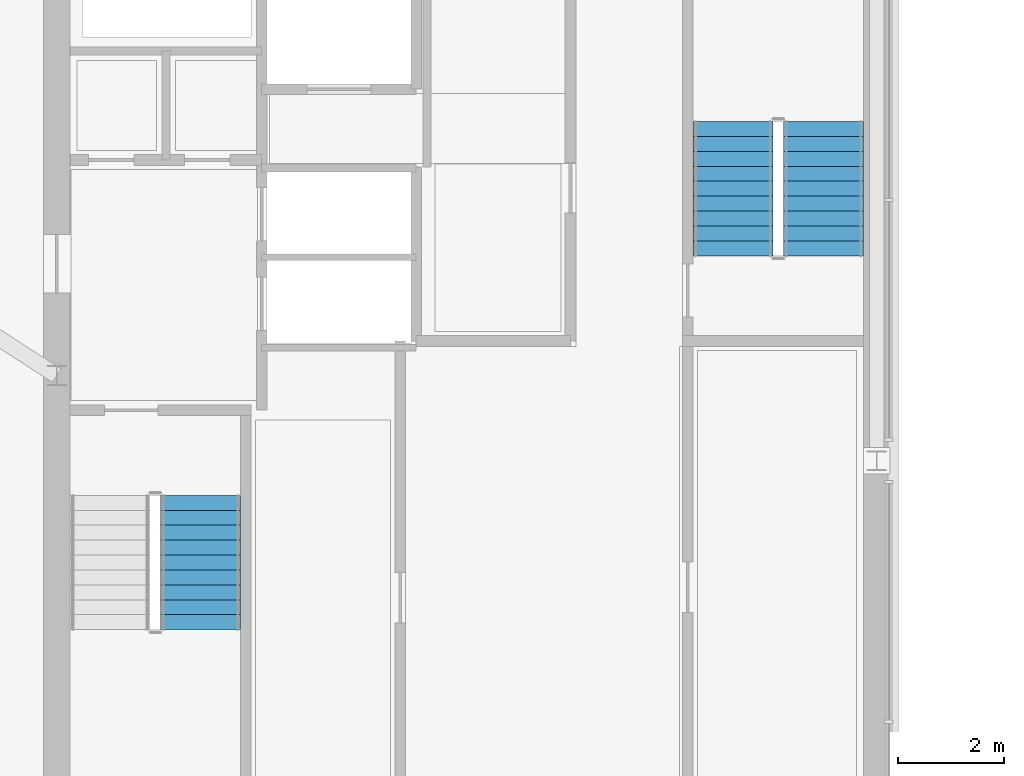
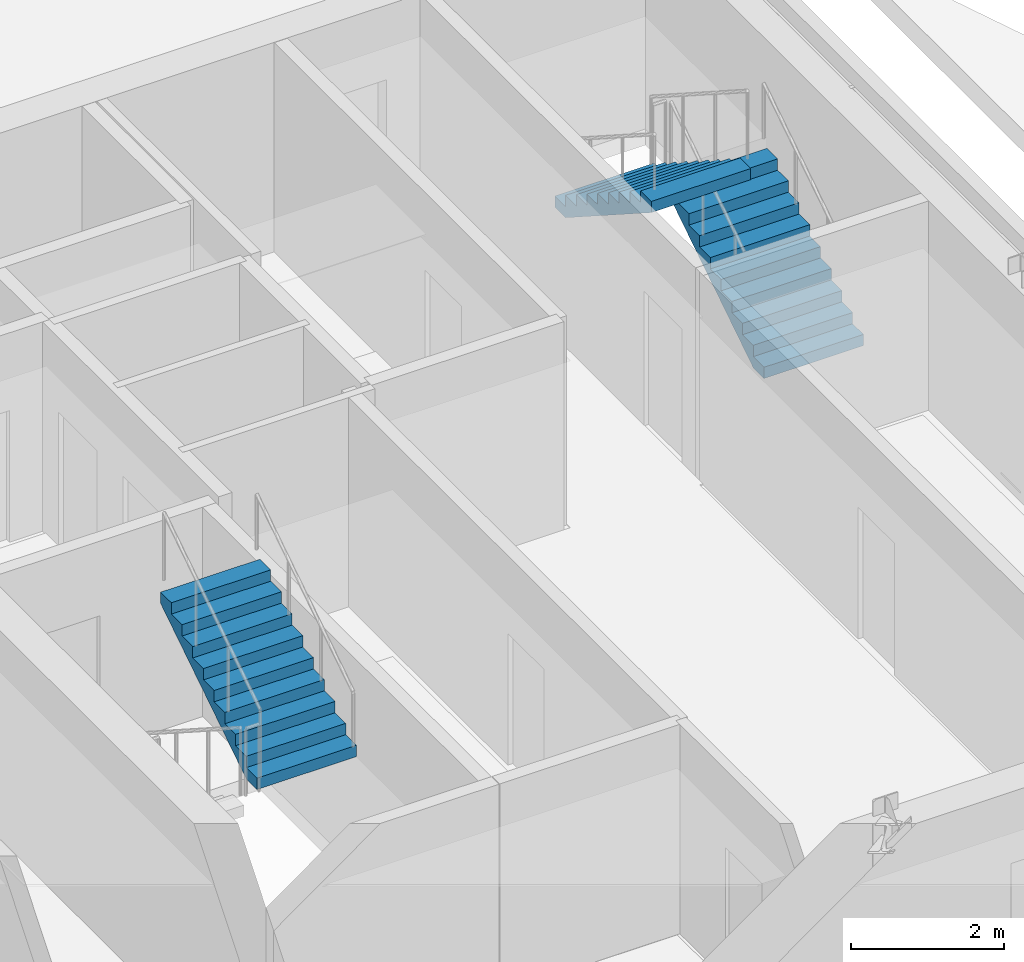
# One storey, part 6 of 10: 3 stair flights, 2 elements without a shape of their own.
"""IFC4 building model written with IfcOpenShell, lengths in metres."""

from ifc_helpers import new_model, si_unit, direction, frame, origin, place, context, subcontext, project, spatial, polyline, outline, extrude, material, type_object, element, aggregate, save


model = new_model("IFC4")

# Units and contexts
model_context = context("Model", 3, precision=1e-05, world=origin(), true_north=direction((0.0, 1.0)))
body_context = subcontext(model_context, "Body", "Model", "MODEL_VIEW")
ifc_project = project(units=[si_unit("LENGTHUNIT", "METRE"), si_unit("AREAUNIT", "SQUARE_METRE"), si_unit("VOLUMEUNIT", "CUBIC_METRE"), si_unit("PLANEANGLEUNIT", "RADIAN"), si_unit("MASSUNIT", "GRAM", prefix="KILO")], contexts=[model_context])

# Site, building, storey
site_placement = place(None, origin())
site = spatial("IfcSite", under=ifc_project, at=site_placement, CompositionType="ELEMENT")
building_placement = place(site_placement, origin())
building = spatial("IfcBuilding", under=site, at=building_placement, Name="Savorim Split Tower", CompositionType="ELEMENT")
storey_placement = place(building_placement, frame((0.0, 0.0, 315.60009765625)))
storey = spatial("IfcBuildingStorey", under=building, at=storey_placement, Name="Crown L84 Plant", CompositionType="ELEMENT", Elevation=315.60009765625)

# Stair, stair flight
ifc_material = material(Name="Concrete C50/60", Category="concrete")
stair_type = type_object("IfcStairType", Name="STR-DOG-3600", PredefinedType="HALF_TURN_STAIR", material=ifc_material)
stair_1_placement = place(storey_placement, origin())
stair_1 = element("IfcStair", 1, at=stair_1_placement, inside=storey, type_object=stair_type, Name="Crown L84 Plant Core Protected Exit Stair ST-1", PredefinedType="HALF_TURN_STAIR")
stair_flight_type = type_object("IfcStairFlightType", Name="SFL-DOG-3600", PredefinedType="STRAIGHT", material=ifc_material)
stair_flight_1_placement = place(storey_placement, frame((-5.0, -2.77001953125, 1.7998046875), z_axis=(0.0, 0.0, 1.0), x_axis=(0.0, 1.0, 0.0)))
stair_flight_1 = element("IfcStairFlight", 2, at=stair_flight_1_placement, type_object=stair_flight_type, Name="ST-1 flight 2", NumberOfRisers=10, NumberOfTreads=9, PredefinedType="STRAIGHT", RiserHeight=0.18, TreadLength=0.28, context=body_context, shape_type="SweptSolid", body=[
    extrude(outline(polyline([(0.0, 0.0), (0.0, 0.179931640625), (0.280029296875, 0.179931640625), (0.280029296875, 0.360107421875), (0.56005859375, 0.360107421875), (0.56005859375, 0.5400390625), (0.840087890625, 0.5400390625), (0.840087890625, 0.719970703125), (1.1201171875, 0.719970703125), (1.1201171875, 0.89990234375), (1.39990234375, 0.89990234375), (1.39990234375, 1.080078125), (1.679931640625, 1.080078125), (1.679931640625, 1.260009765625), (1.9599609375, 1.260009765625), (1.9599609375, 1.43994140625), (2.239990234375, 1.43994140625), (2.239990234375, 1.6201171875), (2.52001953125, 1.6201171875), (2.52001953125, 1.800048828125), (2.52001953125, 1.44189453125), (0.277099609375, 0.0), (0.0, 0.0)])), frame((0.0, 0.75, 0.0), z_axis=(0.0, -1.0, 0.0), x_axis=(1.0, 0.0, 0.0)), (0.0, 0.0, 1.0), 1.5),
])
aggregate(stair_1, [stair_flight_1])

# Stair, stair flights
stair_2_placement = place(storey_placement, origin())
stair_2 = element("IfcStair", 3, at=stair_2_placement, inside=storey, type_object=stair_type, Name="Crown L84 Plant Core Protected Exit Stair ST-2", PredefinedType="HALF_TURN_STAIR")
stair_flight_2_placement = place(storey_placement, frame((6.699951171875, 4.25, 0.0), z_axis=(0.0, 0.0, 1.0), x_axis=(0.0, 1.0, 0.0)))
stair_flight_2 = element("IfcStairFlight", 4, at=stair_flight_2_placement, type_object=stair_flight_type, Name="ST-2 flight 1", NumberOfRisers=10, NumberOfTreads=9, PredefinedType="STRAIGHT", RiserHeight=0.18, TreadLength=0.28, context=body_context, shape_type="SweptSolid", body=[
    extrude(outline(polyline([(0.0, 0.0), (0.0, 0.179931640625), (0.280029296875, 0.179931640625), (0.280029296875, 0.360107421875), (0.56005859375, 0.360107421875), (0.56005859375, 0.5400390625), (0.840087890625, 0.5400390625), (0.840087890625, 0.719970703125), (1.1201171875, 0.719970703125), (1.1201171875, 0.89990234375), (1.39990234375, 0.89990234375), (1.39990234375, 1.080078125), (1.679931640625, 1.080078125), (1.679931640625, 1.260009765625), (1.9599609375, 1.260009765625), (1.9599609375, 1.43994140625), (2.239990234375, 1.43994140625), (2.239990234375, 1.6201171875), (2.52001953125, 1.6201171875), (2.52001953125, 1.800048828125), (2.52001953125, 1.44189453125), (0.277099609375, 0.0), (0.0, 0.0)])), frame((0.0, 0.75, 0.0), z_axis=(0.0, -1.0, 0.0), x_axis=(1.0, 0.0, 0.0)), (0.0, 0.0, 1.0), 1.5),
])
stair_flight_3_placement = place(storey_placement, frame((5.0, 6.77001953125, 1.7998046875), z_axis=(0.0, 0.0, 1.0), x_axis=(0.0, -1.0, 0.0)))
stair_flight_3 = element("IfcStairFlight", 5, at=stair_flight_3_placement, type_object=stair_flight_type, Name="ST-2 flight 2", NumberOfRisers=10, NumberOfTreads=9, PredefinedType="STRAIGHT", RiserHeight=0.18, TreadLength=0.28, context=body_context, shape_type="SweptSolid", body=[
    extrude(outline(polyline([(0.0, 0.0), (0.0, 0.179931640625), (0.280029296875, 0.179931640625), (0.280029296875, 0.360107421875), (0.56005859375, 0.360107421875), (0.56005859375, 0.5400390625), (0.840087890625, 0.5400390625), (0.840087890625, 0.719970703125), (1.1201171875, 0.719970703125), (1.1201171875, 0.89990234375), (1.39990234375, 0.89990234375), (1.39990234375, 1.080078125), (1.679931640625, 1.080078125), (1.679931640625, 1.260009765625), (1.9599609375, 1.260009765625), (1.9599609375, 1.43994140625), (2.239990234375, 1.43994140625), (2.239990234375, 1.6201171875), (2.52001953125, 1.6201171875), (2.52001953125, 1.800048828125), (2.52001953125, 1.44189453125), (0.277099609375, 0.0), (0.0, 0.0)])), frame((0.0, 0.75, 0.0), z_axis=(0.0, -1.0, 0.0), x_axis=(1.0, 0.0, 0.0)), (0.0, 0.0, 1.0), 1.5),
])
aggregate(stair_2, [stair_flight_2, stair_flight_3])

save(model, "model.ifc")
